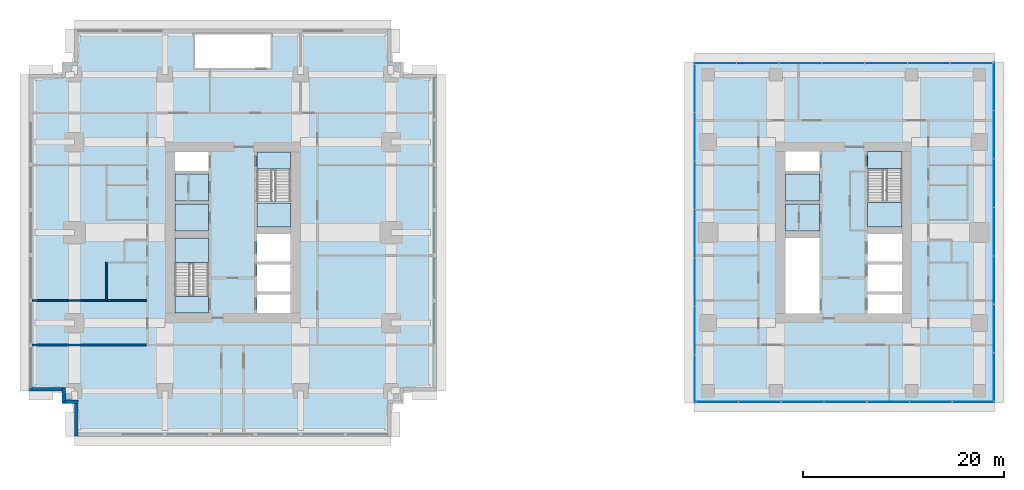
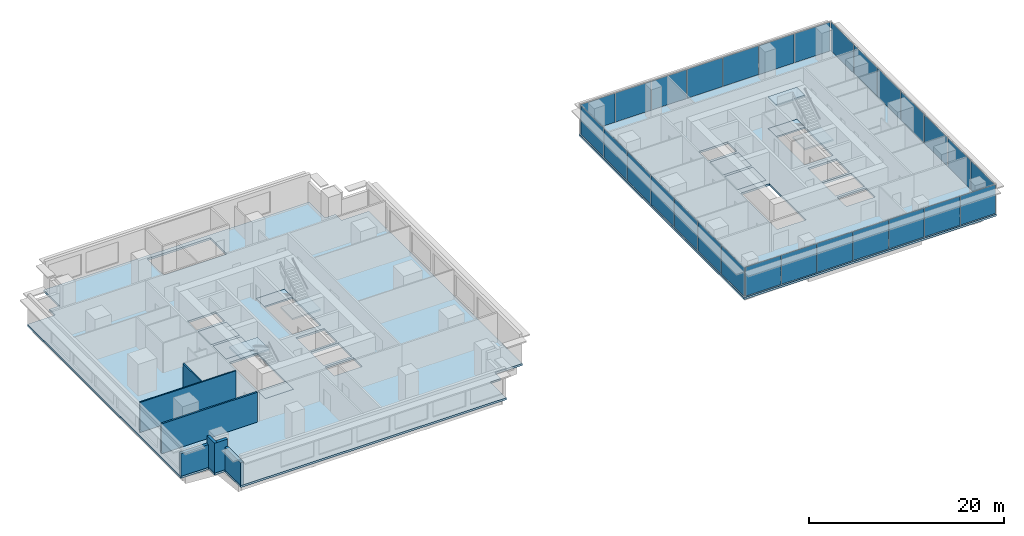
# One storey, part 6 of 14: 28 plates, 13 slabs, 7 walls, 7 elements without a shape of their own.
"""IFC4 building model written with IfcOpenShell, lengths in metres."""

from ifc_helpers import new_model, si_unit, direction, frame, frame_2d, origin, origin_2d, place, context, subcontext, project, spatial, polyline, rectangle, outline, extrude, material, layer, layer_set, type_object, element, aggregate, save


model = new_model("IFC4")

# Units and contexts
model_context = context("Model", 3, precision=1e-05, world=origin(), true_north=direction((0.0, 1.0)))
body_context = subcontext(model_context, "Body", "Model", "MODEL_VIEW")
ifc_project = project(units=[si_unit("LENGTHUNIT", "METRE"), si_unit("AREAUNIT", "SQUARE_METRE"), si_unit("VOLUMEUNIT", "CUBIC_METRE"), si_unit("PLANEANGLEUNIT", "RADIAN"), si_unit("MASSUNIT", "GRAM", prefix="KILO")], contexts=[model_context])

# Site, building, storey
site_placement = place(None, origin())
site = spatial("IfcSite", under=ifc_project, at=site_placement, CompositionType="ELEMENT")
building_placement = place(site_placement, origin())
building = spatial("IfcBuilding", under=site, at=building_placement, Name="Namib Vertical Campus", CompositionType="ELEMENT")
storey_placement = place(building_placement, frame((0.0, 0.0, 233.0)))
storey = spatial("IfcBuildingStorey", under=building, at=storey_placement, Name="L55", CompositionType="ELEMENT", Elevation=233.0)

# Curtain wall, plates
ifc_material_1 = material(Name="Black aluminium curtain wall", Category="aluminium")
ifc_layer_1 = layer(ifc_material_1, 0.199951171875)
ifc_layer_set_1 = layer_set([ifc_layer_1], Name="Sky lounge curtain wall CW-SL")
curtain_wall_type = type_object("IfcCurtainWallType", Name="Sky lounge curtain wall CW-SL", PredefinedType="USERDEFINED", material=ifc_layer_set_1)
curtain_wall_1_placement = place(storey_placement, origin())
curtain_wall_1 = element("IfcCurtainWall", 1, at=curtain_wall_1_placement, inside=storey, type_object=curtain_wall_type, Name="Curtain wall CW-SL L55 F01-1", ObjectType="CURTAIN WALL", PredefinedType="USERDEFINED")
ifc_material_2 = material(Name="Dark tinted glass", Category="glass")
ifc_layer_2 = layer(ifc_material_2, 0.028076171875)
ifc_layer_set_2 = layer_set([ifc_layer_2], Name="Dark solar glass panel 28")
plate_type = type_object("IfcPlateType", Name="Dark solar glass panel 28", PredefinedType="CURTAIN_PANEL", material=ifc_layer_set_2)
plate_1_placement = place(storey_placement, frame((68.43994140625, 3.39990234375, 0.06005859375), z_axis=(0.0, 0.0, 1.0), x_axis=(1.0, 0.0, 0.0)))
plate_1 = element("IfcPlate", 2, at=plate_1_placement, type_object=plate_type, Name="CW-SL panel 1.1", PredefinedType="CURTAIN_PANEL", context=body_context, shape_type="SweptSolid", body=[
    extrude(rectangle(XDim=4.159912109375, YDim=0.028076171875, at=origin_2d()), origin(), (0.0, 0.0, 1.0), 3.6298828125),
])
plate_2_placement = place(storey_placement, frame((72.675048828125, 3.39990234375, 0.06005859375), z_axis=(0.0, 0.0, 1.0), x_axis=(1.0, 0.0, 0.0)))
plate_2 = element("IfcPlate", 3, at=plate_2_placement, type_object=plate_type, Name="CW-SL panel 2.1", PredefinedType="CURTAIN_PANEL", context=body_context, shape_type="SweptSolid", body=[
    extrude(rectangle(XDim=4.18994140625, YDim=0.028076171875, at=origin_2d()), origin(), (0.0, 0.0, 1.0), 3.6298828125),
])
plate_3_placement = place(storey_placement, frame((76.925048828125, 3.39990234375, 0.06005859375), z_axis=(0.0, 0.0, 1.0), x_axis=(1.0, 0.0, 0.0)))
plate_3 = element("IfcPlate", 4, at=plate_3_placement, type_object=plate_type, Name="CW-SL panel 3.1", PredefinedType="CURTAIN_PANEL", context=body_context, shape_type="SweptSolid", body=[
    extrude(rectangle(XDim=4.18994140625, YDim=0.028076171875, at=origin_2d()), origin(), (0.0, 0.0, 1.0), 3.6298828125),
])
plate_4_placement = place(storey_placement, frame((81.175048828125, 3.39990234375, 0.06005859375), z_axis=(0.0, 0.0, 1.0), x_axis=(1.0, 0.0, 0.0)))
plate_4 = element("IfcPlate", 5, at=plate_4_placement, type_object=plate_type, Name="CW-SL panel 4.1", PredefinedType="CURTAIN_PANEL", context=body_context, shape_type="SweptSolid", body=[
    extrude(rectangle(XDim=4.18994140625, YDim=0.028076171875, at=origin_2d()), origin(), (0.0, 0.0, 1.0), 3.6298828125),
])
plate_5_placement = place(storey_placement, frame((85.425048828125, 3.39990234375, 0.06005859375), z_axis=(0.0, 0.0, 1.0), x_axis=(1.0, 0.0, 0.0)))
plate_5 = element("IfcPlate", 6, at=plate_5_placement, type_object=plate_type, Name="CW-SL panel 5.1", PredefinedType="CURTAIN_PANEL", context=body_context, shape_type="SweptSolid", body=[
    extrude(rectangle(XDim=4.18994140625, YDim=0.028076171875, at=origin_2d()), origin(), (0.0, 0.0, 1.0), 3.6298828125),
])
plate_6_placement = place(storey_placement, frame((89.675048828125, 3.39990234375, 0.06005859375), z_axis=(0.0, 0.0, 1.0), x_axis=(1.0, 0.0, 0.0)))
plate_6 = element("IfcPlate", 7, at=plate_6_placement, type_object=plate_type, Name="CW-SL panel 6.1", PredefinedType="CURTAIN_PANEL", context=body_context, shape_type="SweptSolid", body=[
    extrude(rectangle(XDim=4.18994140625, YDim=0.028076171875, at=origin_2d()), origin(), (0.0, 0.0, 1.0), 3.6298828125),
])
plate_7_placement = place(storey_placement, frame((93.909912109375, 3.39990234375, 0.06005859375), z_axis=(0.0, 0.0, 1.0), x_axis=(1.0, 0.0, 0.0)))
plate_7 = element("IfcPlate", 8, at=plate_7_placement, type_object=plate_type, Name="CW-SL panel 7.1", PredefinedType="CURTAIN_PANEL", context=body_context, shape_type="SweptSolid", body=[
    extrude(rectangle(XDim=4.159912109375, YDim=0.028076171875, at=origin_2d()), origin(), (0.0, 0.0, 1.0), 3.6298828125),
])
aggregate(curtain_wall_1, [plate_1, plate_2, plate_3, plate_4, plate_5, plate_6, plate_7])

curtain_wall_2_placement = place(storey_placement, origin())
curtain_wall_2 = element("IfcCurtainWall", 9, at=curtain_wall_2_placement, inside=storey, type_object=curtain_wall_type, Name="Curtain wall CW-SL L55 F02-1", ObjectType="CURTAIN WALL", PredefinedType="USERDEFINED")
plate_8_placement = place(storey_placement, frame((95.949951171875, 5.922119140625, 0.06005859375), z_axis=(0.0, 0.0, 1.0), x_axis=(0.0, 1.0, 0.0)))
plate_8 = element("IfcPlate", 10, at=plate_8_placement, type_object=plate_type, Name="CW-SL panel 1.1", PredefinedType="CURTAIN_PANEL", context=body_context, shape_type="SweptSolid", body=[
    extrude(rectangle(XDim=4.724365234375, YDim=0.028076171875, at=origin_2d()), origin(), (0.0, 0.0, 1.0), 3.6298828125),
])
plate_9_placement = place(storey_placement, frame((95.949951171875, 10.721435546875, 0.06005859375), z_axis=(0.0, 0.0, 1.0), x_axis=(0.0, 1.0, 0.0)))
plate_9 = element("IfcPlate", 11, at=plate_9_placement, type_object=plate_type, Name="CW-SL panel 2.1", PredefinedType="CURTAIN_PANEL", context=body_context, shape_type="SweptSolid", body=[
    extrude(rectangle(XDim=4.75439453125, YDim=0.028076171875, at=origin_2d()), origin(), (0.0, 0.0, 1.0), 3.6298828125),
])
plate_10_placement = place(storey_placement, frame((95.949951171875, 15.53564453125, 0.06005859375), z_axis=(0.0, 0.0, 1.0), x_axis=(0.0, 1.0, 0.0)))
plate_10 = element("IfcPlate", 12, at=plate_10_placement, type_object=plate_type, Name="CW-SL panel 3.1", PredefinedType="CURTAIN_PANEL", context=body_context, shape_type="SweptSolid", body=[
    extrude(rectangle(XDim=4.75439453125, YDim=0.028076171875, at=origin_2d()), origin(), (0.0, 0.0, 1.0), 3.6298828125),
])
plate_11_placement = place(storey_placement, frame((95.949951171875, 20.35009765625, 0.06005859375), z_axis=(0.0, 0.0, 1.0), x_axis=(0.0, 1.0, 0.0)))
plate_11 = element("IfcPlate", 13, at=plate_11_placement, type_object=plate_type, Name="CW-SL panel 4.1", PredefinedType="CURTAIN_PANEL", context=body_context, shape_type="SweptSolid", body=[
    extrude(rectangle(XDim=4.75439453125, YDim=0.028076171875, at=origin_2d()), origin(), (0.0, 0.0, 1.0), 3.6298828125),
])
plate_12_placement = place(storey_placement, frame((95.949951171875, 25.164306640625, 0.06005859375), z_axis=(0.0, 0.0, 1.0), x_axis=(0.0, 1.0, 0.0)))
plate_12 = element("IfcPlate", 14, at=plate_12_placement, type_object=plate_type, Name="CW-SL panel 5.1", PredefinedType="CURTAIN_PANEL", context=body_context, shape_type="SweptSolid", body=[
    extrude(rectangle(XDim=4.75439453125, YDim=0.028076171875, at=origin_2d()), origin(), (0.0, 0.0, 1.0), 3.6298828125),
])
plate_13_placement = place(storey_placement, frame((95.949951171875, 29.978515625, 0.06005859375), z_axis=(0.0, 0.0, 1.0), x_axis=(0.0, 1.0, 0.0)))
plate_13 = element("IfcPlate", 15, at=plate_13_placement, type_object=plate_type, Name="CW-SL panel 6.1", PredefinedType="CURTAIN_PANEL", context=body_context, shape_type="SweptSolid", body=[
    extrude(rectangle(XDim=4.75439453125, YDim=0.028076171875, at=origin_2d()), origin(), (0.0, 0.0, 1.0), 3.6298828125),
])
plate_14_placement = place(storey_placement, frame((95.949951171875, 34.77783203125, 0.06005859375), z_axis=(0.0, 0.0, 1.0), x_axis=(0.0, 1.0, 0.0)))
plate_14 = element("IfcPlate", 16, at=plate_14_placement, type_object=plate_type, Name="CW-SL panel 7.1", PredefinedType="CURTAIN_PANEL", context=body_context, shape_type="SweptSolid", body=[
    extrude(rectangle(XDim=4.724365234375, YDim=0.028076171875, at=origin_2d()), origin(), (0.0, 0.0, 1.0), 3.6298828125),
])
aggregate(curtain_wall_2, [plate_8, plate_9, plate_10, plate_11, plate_12, plate_13, plate_14])

curtain_wall_3_placement = place(storey_placement, origin())
curtain_wall_3 = element("IfcCurtainWall", 17, at=curtain_wall_3_placement, inside=storey, type_object=curtain_wall_type, Name="Curtain wall CW-SL L55 F03-1", ObjectType="CURTAIN WALL", PredefinedType="USERDEFINED")
plate_15_placement = place(storey_placement, frame((93.7099609375, 37.10009765625, 0.06005859375), z_axis=(0.0, 0.0, 1.0), x_axis=(-1.0, 0.0, 0.0)))
plate_15 = element("IfcPlate", 18, at=plate_15_placement, type_object=plate_type, Name="CW-SL panel 1.1", PredefinedType="CURTAIN_PANEL", context=body_context, shape_type="SweptSolid", body=[
    extrude(rectangle(XDim=4.159912109375, YDim=0.028076171875, at=origin_2d()), origin(), (0.0, 0.0, 1.0), 3.6298828125),
])
plate_16_placement = place(storey_placement, frame((89.47509765625, 37.10009765625, 0.06005859375), z_axis=(0.0, 0.0, 1.0), x_axis=(-1.0, 0.0, 0.0)))
plate_16 = element("IfcPlate", 19, at=plate_16_placement, type_object=plate_type, Name="CW-SL panel 2.1", PredefinedType="CURTAIN_PANEL", context=body_context, shape_type="SweptSolid", body=[
    extrude(rectangle(XDim=4.18994140625, YDim=0.028076171875, at=origin_2d()), origin(), (0.0, 0.0, 1.0), 3.6298828125),
])
plate_17_placement = place(storey_placement, frame((85.22509765625, 37.10009765625, 0.06005859375), z_axis=(0.0, 0.0, 1.0), x_axis=(-1.0, 0.0, 0.0)))
plate_17 = element("IfcPlate", 20, at=plate_17_placement, type_object=plate_type, Name="CW-SL panel 3.1", PredefinedType="CURTAIN_PANEL", context=body_context, shape_type="SweptSolid", body=[
    extrude(rectangle(XDim=4.18994140625, YDim=0.028076171875, at=origin_2d()), origin(), (0.0, 0.0, 1.0), 3.6298828125),
])
plate_18_placement = place(storey_placement, frame((80.97509765625, 37.10009765625, 0.06005859375), z_axis=(0.0, 0.0, 1.0), x_axis=(-1.0, 0.0, 0.0)))
plate_18 = element("IfcPlate", 21, at=plate_18_placement, type_object=plate_type, Name="CW-SL panel 4.1", PredefinedType="CURTAIN_PANEL", context=body_context, shape_type="SweptSolid", body=[
    extrude(rectangle(XDim=4.18994140625, YDim=0.028076171875, at=origin_2d()), origin(), (0.0, 0.0, 1.0), 3.6298828125),
])
plate_19_placement = place(storey_placement, frame((76.72509765625, 37.10009765625, 0.06005859375), z_axis=(0.0, 0.0, 1.0), x_axis=(-1.0, 0.0, 0.0)))
plate_19 = element("IfcPlate", 22, at=plate_19_placement, type_object=plate_type, Name="CW-SL panel 5.1", PredefinedType="CURTAIN_PANEL", context=body_context, shape_type="SweptSolid", body=[
    extrude(rectangle(XDim=4.18994140625, YDim=0.028076171875, at=origin_2d()), origin(), (0.0, 0.0, 1.0), 3.6298828125),
])
plate_20_placement = place(storey_placement, frame((72.47509765625, 37.10009765625, 0.06005859375), z_axis=(0.0, 0.0, 1.0), x_axis=(-1.0, 0.0, 0.0)))
plate_20 = element("IfcPlate", 23, at=plate_20_placement, type_object=plate_type, Name="CW-SL panel 6.1", PredefinedType="CURTAIN_PANEL", context=body_context, shape_type="SweptSolid", body=[
    extrude(rectangle(XDim=4.18994140625, YDim=0.028076171875, at=origin_2d()), origin(), (0.0, 0.0, 1.0), 3.6298828125),
])
plate_21_placement = place(storey_placement, frame((68.239990234375, 37.10009765625, 0.06005859375), z_axis=(0.0, 0.0, 1.0), x_axis=(-1.0, 0.0, 0.0)))
plate_21 = element("IfcPlate", 24, at=plate_21_placement, type_object=plate_type, Name="CW-SL panel 7.1", PredefinedType="CURTAIN_PANEL", context=body_context, shape_type="SweptSolid", body=[
    extrude(rectangle(XDim=4.159912109375, YDim=0.028076171875, at=origin_2d()), origin(), (0.0, 0.0, 1.0), 3.6298828125),
])
aggregate(curtain_wall_3, [plate_15, plate_16, plate_17, plate_18, plate_19, plate_20, plate_21])

curtain_wall_4_placement = place(storey_placement, origin())
curtain_wall_4 = element("IfcCurtainWall", 25, at=curtain_wall_4_placement, inside=storey, type_object=curtain_wall_type, Name="Curtain wall CW-SL L55 F04-1", ObjectType="CURTAIN WALL", PredefinedType="USERDEFINED")
plate_22_placement = place(storey_placement, frame((66.199951171875, 34.577880859375, 0.06005859375), z_axis=(0.0, 0.0, 1.0), x_axis=(0.0, -1.0, 0.0)))
plate_22 = element("IfcPlate", 26, at=plate_22_placement, type_object=plate_type, Name="CW-SL panel 1.1", PredefinedType="CURTAIN_PANEL", context=body_context, shape_type="SweptSolid", body=[
    extrude(rectangle(XDim=4.724365234375, YDim=0.028076171875, at=origin_2d()), origin(), (0.0, 0.0, 1.0), 3.6298828125),
])
plate_23_placement = place(storey_placement, frame((66.199951171875, 29.778564453125, 0.06005859375), z_axis=(0.0, 0.0, 1.0), x_axis=(0.0, -1.0, 0.0)))
plate_23 = element("IfcPlate", 27, at=plate_23_placement, type_object=plate_type, Name="CW-SL panel 2.1", PredefinedType="CURTAIN_PANEL", context=body_context, shape_type="SweptSolid", body=[
    extrude(rectangle(XDim=4.75439453125, YDim=0.028076171875, at=origin_2d()), origin(), (0.0, 0.0, 1.0), 3.6298828125),
])
plate_24_placement = place(storey_placement, frame((66.199951171875, 24.96435546875, 0.06005859375), z_axis=(0.0, 0.0, 1.0), x_axis=(0.0, -1.0, 0.0)))
plate_24 = element("IfcPlate", 28, at=plate_24_placement, type_object=plate_type, Name="CW-SL panel 3.1", PredefinedType="CURTAIN_PANEL", context=body_context, shape_type="SweptSolid", body=[
    extrude(rectangle(XDim=4.75439453125, YDim=0.028076171875, at=origin_2d()), origin(), (0.0, 0.0, 1.0), 3.6298828125),
])
plate_25_placement = place(storey_placement, frame((66.199951171875, 20.14990234375, 0.06005859375), z_axis=(0.0, 0.0, 1.0), x_axis=(0.0, -1.0, 0.0)))
plate_25 = element("IfcPlate", 29, at=plate_25_placement, type_object=plate_type, Name="CW-SL panel 4.1", PredefinedType="CURTAIN_PANEL", context=body_context, shape_type="SweptSolid", body=[
    extrude(rectangle(XDim=4.75439453125, YDim=0.028076171875, at=origin_2d()), origin(), (0.0, 0.0, 1.0), 3.6298828125),
])
plate_26_placement = place(storey_placement, frame((66.199951171875, 15.335693359375, 0.06005859375), z_axis=(0.0, 0.0, 1.0), x_axis=(0.0, -1.0, 0.0)))
plate_26 = element("IfcPlate", 30, at=plate_26_placement, type_object=plate_type, Name="CW-SL panel 5.1", PredefinedType="CURTAIN_PANEL", context=body_context, shape_type="SweptSolid", body=[
    extrude(rectangle(XDim=4.75439453125, YDim=0.028076171875, at=origin_2d()), origin(), (0.0, 0.0, 1.0), 3.6298828125),
])
plate_27_placement = place(storey_placement, frame((66.199951171875, 10.521484375, 0.06005859375), z_axis=(0.0, 0.0, 1.0), x_axis=(0.0, -1.0, 0.0)))
plate_27 = element("IfcPlate", 31, at=plate_27_placement, type_object=plate_type, Name="CW-SL panel 6.1", PredefinedType="CURTAIN_PANEL", context=body_context, shape_type="SweptSolid", body=[
    extrude(rectangle(XDim=4.75439453125, YDim=0.028076171875, at=origin_2d()), origin(), (0.0, 0.0, 1.0), 3.6298828125),
])
plate_28_placement = place(storey_placement, frame((66.199951171875, 5.72216796875, 0.06005859375), z_axis=(0.0, 0.0, 1.0), x_axis=(0.0, -1.0, 0.0)))
plate_28 = element("IfcPlate", 32, at=plate_28_placement, type_object=plate_type, Name="CW-SL panel 7.1", PredefinedType="CURTAIN_PANEL", context=body_context, shape_type="SweptSolid", body=[
    extrude(rectangle(XDim=4.724365234375, YDim=0.028076171875, at=origin_2d()), origin(), (0.0, 0.0, 1.0), 3.6298828125),
])
aggregate(curtain_wall_4, [plate_22, plate_23, plate_24, plate_25, plate_26, plate_27, plate_28])

# Slabs
ifc_material_3 = material(Name="Concrete C40/50", Category="concrete")
ifc_layer_3 = layer(ifc_material_3, 0.25)
ifc_layer_set_3 = layer_set([ifc_layer_3], Name="Concrete C40/50")
slab_type_1 = type_object("IfcSlabType", Name="Floor slab 250", PredefinedType="FLOOR", material=ifc_layer_set_3)
slab_1_placement = place(storey_placement, frame((0.0, 0.0, -0.25)))
element("IfcSlab", 33, at=slab_1_placement, inside=storey, type_object=slab_type_1, Name="Floor slab A L55", PredefinedType="FLOOR", context=body_context, shape_type="SweptSolid", body=[
    extrude(outline(polyline([(4.5, 0.0), (36.0, 0.0), (36.0, 3.27490234375), (37.22509765625, 3.27490234375), (37.22509765625, 4.5), (40.5, 4.5), (40.5, 36.0), (37.22509765625, 36.0), (37.22509765625, 37.22509765625), (36.0, 37.22509765625), (36.0, 40.5), (4.5, 40.5), (4.5, 37.22509765625), (3.27490234375, 37.22509765625), (3.27490234375, 36.0), (0.0, 36.0), (0.0, 4.5), (3.27490234375, 4.5), (3.27490234375, 3.27490234375), (4.5, 3.27490234375), (4.5, 0.0)]), holes=[polyline([(14.5, 12.25), (17.85009765625, 12.25), (17.85009765625, 19.699951171875), (14.5, 19.699951171875), (14.5, 12.25)]), polyline([(22.64990234375, 20.800048828125), (26.0, 20.800048828125), (26.0, 28.25), (22.64990234375, 28.25), (22.64990234375, 20.800048828125)]), polyline([(22.64990234375, 12.25), (26.0, 12.25), (26.0, 14.10009765625), (22.64990234375, 14.10009765625), (22.64990234375, 12.25)]), polyline([(14.5, 20.39990234375), (17.85009765625, 20.39990234375), (17.85009765625, 23.10009765625), (14.5, 23.10009765625), (14.5, 20.39990234375)]), polyline([(14.5, 23.39990234375), (17.85009765625, 23.39990234375), (17.85009765625, 26.10009765625), (14.5, 26.10009765625), (14.5, 23.39990234375)]), polyline([(14.5, 26.39990234375), (17.85009765625, 26.39990234375), (17.85009765625, 28.25), (14.5, 28.25), (14.5, 26.39990234375)]), polyline([(22.64990234375, 14.39990234375), (26.0, 14.39990234375), (26.0, 17.10009765625), (22.64990234375, 17.10009765625), (22.64990234375, 14.39990234375)]), polyline([(22.64990234375, 17.39990234375), (26.0, 17.39990234375), (26.0, 20.10009765625), (22.64990234375, 20.10009765625), (22.64990234375, 17.39990234375)]), polyline([(16.5, 36.64990234375), (24.0, 36.64990234375), (24.0, 40.0), (16.5, 40.0), (16.5, 36.64990234375)])]), origin(), (0.0, 0.0, 1.0), 0.25),
])
slab_2_placement = place(storey_placement, frame((0.0, 0.0, -0.25)))
element("IfcSlab", 34, at=slab_2_placement, inside=storey, type_object=slab_type_1, Name="Floor slab B L55", PredefinedType="FLOOR", context=body_context, shape_type="SweptSolid", body=[
    extrude(outline(polyline([(66.10009765625, 3.300048828125), (96.050048828125, 3.300048828125), (96.050048828125, 37.199951171875), (66.10009765625, 37.199951171875), (66.10009765625, 3.300048828125)]), holes=[polyline([(75.199951171875, 12.199951171875), (78.60009765625, 12.199951171875), (78.60009765625, 19.699951171875), (75.199951171875, 19.699951171875), (75.199951171875, 12.199951171875)]), polyline([(83.39990234375, 20.800048828125), (86.800048828125, 20.800048828125), (86.800048828125, 28.300048828125), (83.39990234375, 28.300048828125), (83.39990234375, 20.800048828125)]), polyline([(83.39990234375, 12.199951171875), (86.800048828125, 12.199951171875), (86.800048828125, 14.10009765625), (83.39990234375, 14.10009765625), (83.39990234375, 12.199951171875)]), polyline([(75.199951171875, 20.39990234375), (78.60009765625, 20.39990234375), (78.60009765625, 23.10009765625), (75.199951171875, 23.10009765625), (75.199951171875, 20.39990234375)]), polyline([(75.199951171875, 23.39990234375), (78.60009765625, 23.39990234375), (78.60009765625, 26.10009765625), (75.199951171875, 26.10009765625), (75.199951171875, 23.39990234375)]), polyline([(75.199951171875, 26.39990234375), (78.60009765625, 26.39990234375), (78.60009765625, 28.300048828125), (75.199951171875, 28.300048828125), (75.199951171875, 26.39990234375)]), polyline([(83.39990234375, 14.39990234375), (86.800048828125, 14.39990234375), (86.800048828125, 17.10009765625), (83.39990234375, 17.10009765625), (83.39990234375, 14.39990234375)]), polyline([(83.39990234375, 17.39990234375), (86.800048828125, 17.39990234375), (86.800048828125, 20.10009765625), (83.39990234375, 20.10009765625), (83.39990234375, 17.39990234375)])]), origin(), (0.0, 0.0, 1.0), 0.25),
])
ifc_material_4 = material(Name="Concrete C40/50 precast", Category="concrete")
ifc_layer_4 = layer(ifc_material_4, 0.25)
ifc_layer_set_4 = layer_set([ifc_layer_4], Name="Concrete C40/50 precast")
slab_type_2 = type_object("IfcSlabType", Name="Shaft infill floor 250", PredefinedType="FLOOR", material=ifc_layer_set_4)
slab_3_placement = place(storey_placement, frame((0.0, 0.0, -0.25)))
element("IfcSlab", 35, at=slab_3_placement, inside=storey, type_object=slab_type_2, Name="Shaft infill floor A L55 P1", PredefinedType="FLOOR", context=body_context, shape_type="SweptSolid", body=[
    extrude(outline(polyline([(14.5, 20.39990234375), (17.85009765625, 20.39990234375), (17.85009765625, 23.10009765625), (14.5, 23.10009765625), (14.5, 20.39990234375)])), origin(), (0.0, 0.0, 1.0), 0.25),
])
slab_4_placement = place(storey_placement, frame((0.0, 0.0, -0.25)))
element("IfcSlab", 36, at=slab_4_placement, inside=storey, type_object=slab_type_2, Name="Shaft infill floor A L55 P2", PredefinedType="FLOOR", context=body_context, shape_type="SweptSolid", body=[
    extrude(outline(polyline([(14.5, 23.39990234375), (17.85009765625, 23.39990234375), (17.85009765625, 26.10009765625), (14.5, 26.10009765625), (14.5, 23.39990234375)])), origin(), (0.0, 0.0, 1.0), 0.25),
])
slab_5_placement = place(storey_placement, frame((0.0, 0.0, -0.25)))
element("IfcSlab", 37, at=slab_5_placement, inside=storey, type_object=slab_type_2, Name="Shaft infill floor B L55 P1", PredefinedType="FLOOR", context=body_context, shape_type="SweptSolid", body=[
    extrude(outline(polyline([(75.199951171875, 20.39990234375), (78.60009765625, 20.39990234375), (78.60009765625, 23.10009765625), (75.199951171875, 23.10009765625), (75.199951171875, 20.39990234375)])), origin(), (0.0, 0.0, 1.0), 0.25),
])
slab_6_placement = place(storey_placement, frame((0.0, 0.0, -0.25)))
element("IfcSlab", 38, at=slab_6_placement, inside=storey, type_object=slab_type_2, Name="Shaft infill floor B L55 P2", PredefinedType="FLOOR", context=body_context, shape_type="SweptSolid", body=[
    extrude(outline(polyline([(75.199951171875, 23.39990234375), (78.60009765625, 23.39990234375), (78.60009765625, 26.10009765625), (75.199951171875, 26.10009765625), (75.199951171875, 23.39990234375)])), origin(), (0.0, 0.0, 1.0), 0.25),
])

# Stair, slabs
ifc_material_5 = material(Name="Concrete C40/50 precast", Category="concrete")
stair_type_1 = type_object("IfcStairType", Name="Exit stair 4000 rise 24 risers 3350 wide", PredefinedType="HALF_TURN_STAIR", material=ifc_material_5)
stair_1_placement = place(storey_placement, origin())
stair_1 = element("IfcStair", 39, at=stair_1_placement, inside=storey, type_object=stair_type_1, Name="Exit stair A-S1 L55", PredefinedType="HALF_TURN_STAIR")
ifc_material_6 = material(Name="Concrete C40/50", Category="concrete")
ifc_layer_5 = layer(ifc_material_6, 0.199951171875)
ifc_layer_set_5 = layer_set([ifc_layer_5], Name="Concrete C40/50")
slab_type_3 = type_object("IfcSlabType", Name="Stair landing 200", PredefinedType="LANDING", material=ifc_layer_set_5)
slab_7_placement = place(storey_placement, frame((0.0, 0.0, -0.199951171875)))
slab_7 = element("IfcSlab", 40, at=slab_7_placement, type_object=slab_type_3, Name="A-S1 landing 1", PredefinedType="LANDING", context=body_context, shape_type="SweptSolid", body=[
    extrude(outline(polyline([(14.5, 12.25), (17.85009765625, 12.25), (17.85009765625, 13.90380859375), (14.5, 13.90380859375), (14.5, 12.25)])), origin(), (0.0, 0.0, 1.0), 0.199951171875),
])
slab_8_placement = place(storey_placement, frame((0.0, 0.0, 1.800048828125)))
slab_8 = element("IfcSlab", 41, at=slab_8_placement, type_object=slab_type_3, Name="A-S1 landing 2", PredefinedType="LANDING", context=body_context, shape_type="SweptSolid", body=[
    extrude(outline(polyline([(14.5, 17.276123046875), (17.85009765625, 17.276123046875), (17.85009765625, 19.699951171875), (14.5, 19.699951171875), (14.5, 17.276123046875)])), origin(), (0.0, 0.0, 1.0), 0.199951171875),
])
aggregate(stair_1, [slab_7, slab_8])

stair_2_placement = place(storey_placement, origin())
stair_2 = element("IfcStair", 42, at=stair_2_placement, inside=storey, type_object=stair_type_1, Name="Exit stair A-S2 L55", PredefinedType="HALF_TURN_STAIR")
slab_9_placement = place(storey_placement, frame((0.0, 0.0, -0.199951171875)))
slab_9 = element("IfcSlab", 43, at=slab_9_placement, type_object=slab_type_3, Name="A-S2 landing 1", PredefinedType="LANDING", context=body_context, shape_type="SweptSolid", body=[
    extrude(outline(polyline([(22.64990234375, 26.59619140625), (26.0, 26.59619140625), (26.0, 28.25), (22.64990234375, 28.25), (22.64990234375, 26.59619140625)])), origin(), (0.0, 0.0, 1.0), 0.199951171875),
])
slab_10_placement = place(storey_placement, frame((0.0, 0.0, 1.800048828125)))
slab_10 = element("IfcSlab", 44, at=slab_10_placement, type_object=slab_type_3, Name="A-S2 landing 2", PredefinedType="LANDING", context=body_context, shape_type="SweptSolid", body=[
    extrude(outline(polyline([(22.64990234375, 20.800048828125), (26.0, 20.800048828125), (26.0, 23.223876953125), (22.64990234375, 23.223876953125), (22.64990234375, 20.800048828125)])), origin(), (0.0, 0.0, 1.0), 0.199951171875),
])
aggregate(stair_2, [slab_9, slab_10])

ifc_material_7 = material(Name="Concrete C40/50 precast", Category="concrete")
stair_type_2 = type_object("IfcStairType", Name="Exit stair 4000 rise 24 risers 3400 wide", PredefinedType="HALF_TURN_STAIR", material=ifc_material_7)
stair_3_placement = place(storey_placement, origin())
stair_3 = element("IfcStair", 45, at=stair_3_placement, inside=storey, type_object=stair_type_2, Name="Exit stair B-S2 L55", PredefinedType="HALF_TURN_STAIR")
slab_11_placement = place(storey_placement, frame((0.0, 0.0, -0.199951171875)))
slab_11 = element("IfcSlab", 46, at=slab_11_placement, type_object=slab_type_3, Name="B-S2 landing 1", PredefinedType="LANDING", context=body_context, shape_type="SweptSolid", body=[
    extrude(outline(polyline([(83.39990234375, 26.64599609375), (86.800048828125, 26.64599609375), (86.800048828125, 28.300048828125), (83.39990234375, 28.300048828125), (83.39990234375, 26.64599609375)])), origin(), (0.0, 0.0, 1.0), 0.199951171875),
])
slab_12_placement = place(storey_placement, frame((0.0, 0.0, 1.800048828125)))
slab_12 = element("IfcSlab", 47, at=slab_12_placement, type_object=slab_type_3, Name="B-S2 landing 2", PredefinedType="LANDING", context=body_context, shape_type="SweptSolid", body=[
    extrude(outline(polyline([(83.39990234375, 20.800048828125), (86.800048828125, 20.800048828125), (86.800048828125, 23.27392578125), (83.39990234375, 23.27392578125), (83.39990234375, 20.800048828125)])), origin(), (0.0, 0.0, 1.0), 0.199951171875),
])
slab_13_placement = place(storey_placement, frame((0.0, 0.0, 3.800048828125)))
slab_13 = element("IfcSlab", 48, at=slab_13_placement, type_object=slab_type_3, Name="B-S2 landing 3", PredefinedType="LANDING", context=body_context, shape_type="SweptSolid", body=[
    extrude(outline(polyline([(83.39990234375, 26.64599609375), (86.800048828125, 26.64599609375), (86.800048828125, 28.300048828125), (83.39990234375, 28.300048828125), (83.39990234375, 26.64599609375)])), origin(), (0.0, 0.0, 1.0), 0.199951171875),
])
aggregate(stair_3, [slab_11, slab_12, slab_13])

# Walls
ifc_material_8 = material(Name="Concrete masonry", Category="masonry")
ifc_layer_6 = layer(ifc_material_8, 0.199951171875)
ifc_layer_set_6 = layer_set([ifc_layer_6], Name="Corridor wall 200")
wall_type_1 = type_object("IfcWallType", Name="Corridor wall 200", PredefinedType="SOLIDWALL", material=ifc_layer_set_6)
wall_1_placement = place(storey_placement, frame((0.300048828125, 9.10009765625, 0.0), z_axis=(0.0, 0.0, 1.0), x_axis=(1.0, 0.0, 0.0)))
element("IfcWall", 49, at=wall_1_placement, inside=storey, type_object=wall_type_1, Name="Partition A L55 BSW", PredefinedType="SOLIDWALL", context=body_context, shape_type="SweptSolid", body=[
    extrude(rectangle(XDim=11.39990234375, YDim=0.199951171875, at=frame_2d((5.699951171875, 0.0))), origin(), (0.0, 0.0, 1.0), 3.75),
])
ifc_material_9 = material(Name="Concrete C40/50", Category="concrete")
ifc_layer_7 = layer(ifc_material_9, 0.35009765625)
ifc_layer_set_7 = layer_set([ifc_layer_7], Name="Concrete C40/50")
wall_type_2 = type_object("IfcWallType", Name="External wall 350 bush-hammered concrete", PredefinedType="STANDARD", material=ifc_layer_set_7)
wall_2_placement = place(storey_placement, frame((0.02001953125, 4.675048828125, 0.0), z_axis=(0.0, 0.0, 1.0), x_axis=(1.0, 0.0, 0.0)))
element("IfcWall", 50, at=wall_2_placement, inside=storey, type_object=wall_type_2, Name="External wall L55 F17", PredefinedType="STANDARD", context=body_context, shape_type="SweptSolid", body=[
    extrude(rectangle(XDim=3.5849609375, YDim=0.35009765625, at=frame_2d((1.79248046875, 0.0))), origin(), (0.0, 0.0, 1.0), 2.85009765625),
])
for number, where, z_axis, x_axis, name in (
    (51, (3.449951171875, 4.830078125, 0.0), (0.0, 0.0, 1.0), (0.0, -1.0, 0.0), "External wall L55 F18"),
    (52, (3.294921875, 3.449951171875, 0.0), (0.0, 0.0, 1.0), (1.0, 0.0, 0.0), "External wall L55 F19"),
):
    element("IfcWall", number, at=place(storey_placement, frame(where, z_axis=z_axis, x_axis=x_axis)), inside=storey, type_object=wall_type_2, Name=name, PredefinedType="STANDARD", context=body_context, shape_type="SweptSolid", body=[
        extrude(rectangle(XDim=1.53515625, YDim=0.35009765625, at=frame_2d((0.767578125, 0.0))), origin(), (0.0, 0.0, 1.0), 3.75),
    ])
wall_3_placement = place(storey_placement, frame((4.675048828125, 3.60498046875, 0.0), z_axis=(0.0, 0.0, 1.0), x_axis=(0.0, -1.0, 0.0)))
element("IfcWall", 53, at=wall_3_placement, inside=storey, type_object=wall_type_2, Name="External wall L55 F20", PredefinedType="STANDARD", context=body_context, shape_type="SweptSolid", body=[
    extrude(rectangle(XDim=3.5849609375, YDim=0.35009765625, at=frame_2d((1.79248046875, 0.0))), origin(), (0.0, 0.0, 1.0), 2.85009765625),
])
ifc_material_10 = material(Name="Gypsum board on steel studs", Category="steel")
ifc_layer_8 = layer(ifc_material_10, 0.14990234375)
ifc_layer_set_8 = layer_set([ifc_layer_8], Name="Gypsum board on steel studs")
wall_type_3 = type_object("IfcWallType", Name="Partition 150", PredefinedType="PARTITIONING", material=ifc_layer_set_8)
wall_4_placement = place(storey_placement, frame((0.300048828125, 13.5, 0.0), z_axis=(0.0, 0.0, 1.0), x_axis=(1.0, 0.0, 0.0)))
element("IfcWall", 54, at=wall_4_placement, inside=storey, type_object=wall_type_3, Name="Partition A L55 PW1", PredefinedType="PARTITIONING", context=body_context, shape_type="SweptSolid", body=[
    extrude(rectangle(XDim=11.39990234375, YDim=0.14990234375, at=frame_2d((5.699951171875, 0.0))), origin(), (0.0, 0.0, 1.0), 3.75),
])
wall_5_placement = place(storey_placement, frame((7.699951171875, 13.5, 0.0), z_axis=(0.0, 0.0, 1.0), x_axis=(0.0, 1.0, 0.0)))
element("IfcWall", 55, at=wall_5_placement, inside=storey, type_object=wall_type_3, Name="Partition A L55 WB1", PredefinedType="PARTITIONING", context=body_context, shape_type="SweptSolid", body=[
    extrude(rectangle(XDim=3.800048828125, YDim=0.14990234375, at=frame_2d((1.89990234375, 0.0))), origin(), (0.0, 0.0, 1.0), 3.75),
])

save(model, "model.ifc")
